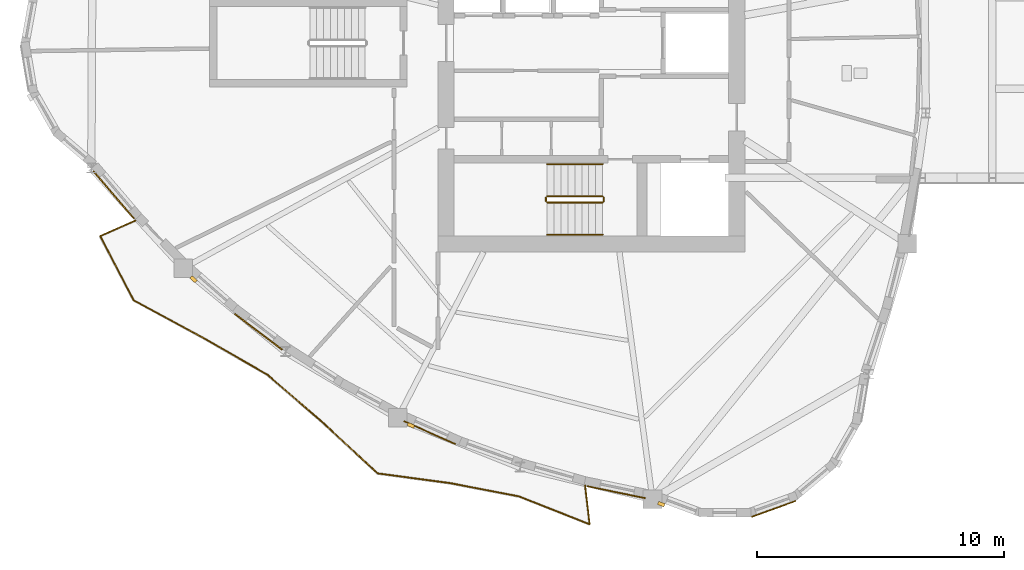
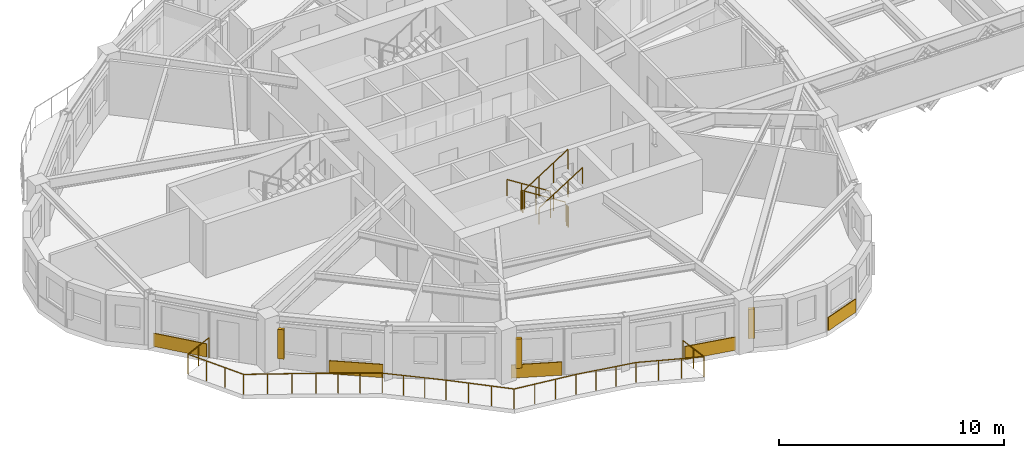
# One storey, part 10 of 13: 7 railings, 5 coverings, 3 shading devices.
"""IFC4 building model written with IfcOpenShell, lengths in metres."""

from ifc_helpers import new_model, si_unit, direction, frame, origin, origin_2d, place, context, subcontext, project, spatial, rectangle, circle, extrude, source, transform, mapped, material, layer, layer_set, type_object, element, save


model = new_model("IFC4")

# Units and contexts
model_context = context("Model", 3, precision=1e-05, world=origin(), true_north=direction((0.0, 1.0)))
body_context = subcontext(model_context, "Body", "Model", "MODEL_VIEW")
ifc_project = project(units=[si_unit("LENGTHUNIT", "METRE"), si_unit("AREAUNIT", "SQUARE_METRE"), si_unit("VOLUMEUNIT", "CUBIC_METRE"), si_unit("PLANEANGLEUNIT", "RADIAN"), si_unit("MASSUNIT", "GRAM", prefix="KILO")], contexts=[model_context])

# Site, building, storey
site_placement = place(None, origin())
site = spatial("IfcSite", under=ifc_project, at=site_placement, CompositionType="ELEMENT")
building_placement = place(site_placement, origin())
building = spatial("IfcBuilding", under=site, at=building_placement, Name="Qafzar Sky-Pleat Residences", CompositionType="ELEMENT")
storey_placement = place(building_placement, frame((0.0, 0.0, 155.39990234375)))
storey = spatial("IfcBuildingStorey", under=building, at=storey_placement, Name="L46", CompositionType="ELEMENT", Elevation=155.39990234375)

# Shading devices
ifc_material_1 = material(Name="Honed Riyadh limestone solar fin", Category="masonry")
ifc_layer_1 = layer(ifc_material_1, 0.139892578125)
ifc_layer_set_1 = layer_set([ifc_layer_1], Name="Honed Riyadh limestone solar fin")
shading_device_type = type_object("IfcShadingDeviceType", Name="SHD-FIN-STONE", PredefinedType="SHUTTER", material=ifc_layer_set_1)
shared_shape_1 = source(origin(), body_context, "Body", "SweptSolid", [
    extrude(rectangle(XDim=0.139892578125, YDim=0.280029296875, at=origin_2d()), origin(), (0.0, 0.0, 1.0), 1.60009765625),
])
for number, where, z_axis, x_axis, name in (
    (1, (14.259033203125, 16.4443359375, 0.60009765625), (0.0, 0.0, 1.0), (-0.66015795456, -0.751126803563, 0.0), "L46 Limestone Solar Fin 9"),
    (2, (23.052001953125, 10.533935546875, 0.60009765625), (0.0, 0.0, 1.0), (-0.407523392888, -0.913194767971, 0.0), "L46 Limestone Solar Fin 13"),
    (3, (33.17236328125, 7.3525390625, 0.60009765625), (0.0, 0.0, 1.0), (-0.349591808799, -0.936902111867, 0.0), "L46 Limestone Solar Fin 17"),
):
    element("IfcShadingDevice", number, at=place(storey_placement, frame(where, z_axis=z_axis, x_axis=x_axis)), inside=storey, type_object=shading_device_type, Name=name, PredefinedType="SHUTTER", context=body_context, shape_type="MappedRepresentation", body=[
        mapped(shared_shape_1, transform((0.0, 0.0, 0.0), x_axis=(1.0, 0.0, 0.0), y_axis=(0.0, 1.0, 0.0), z_axis=(0.0, 0.0, 1.0), scale=1.0)),
    ])

# Railing
ifc_material_2 = material(Name="Laminated glass and bronze steel balustrade", Category="steel")
railing_type_1 = type_object("IfcRailingType", Name="RAIL-BAL-1100", PredefinedType="BALUSTRADE", material=ifc_material_2)
shared_shape_2 = source(origin(), body_context, "Body", "SweptSolid", [
    extrude(circle(Radius=0.02392578125, at=origin_2d()), frame((0.0, 0.0, 1.076171875), z_axis=(-0.913242763887, -0.407415824689, 0.0), x_axis=(0.407415824689, -0.913242763887, 0.0)), (0.0, 0.0, 1.0), 1.577880859375),
    extrude(circle(Radius=0.02392578125, at=origin_2d()), frame((-1.44091796875, -0.642822265625, 1.076171875), z_axis=(0.463779078559, -0.88595088255, 0.0), x_axis=(0.88595088255, 0.463779078559, 0.0)), (0.0, 0.0, 1.0), 2.922119140625),
    extrude(circle(Radius=0.02392578125, at=origin_2d()), frame((-0.085693359375, -3.231689453125, 1.076171875), z_axis=(0.879301197534, -0.476266106305, 0.0), x_axis=(0.476266106305, 0.879301197534, 0.0)), (0.0, 0.0, 1.0), 3.23046875),
    extrude(circle(Radius=0.02392578125, at=origin_2d()), frame((2.7548828125, -4.770263671875, 1.076171875), z_axis=(0.867569052285, -0.49731673963, 0.0), x_axis=(0.49731673963, 0.867569052285, 0.0)), (0.0, 0.0, 1.0), 2.945556640625),
    extrude(circle(Radius=0.02392578125, at=origin_2d()), frame((5.310302734375, -6.235107421875, 1.076171875), z_axis=(0.75730029901, -0.653066809078, 0.0), x_axis=(0.653066809078, 0.75730029901, 0.0)), (0.0, 0.0, 1.0), 2.8857421875),
    extrude(circle(Radius=0.02392578125, at=origin_2d()), frame((7.49560546875, -8.11962890625, 1.076171875), z_axis=(0.734057417047, -0.67908740857, 0.0), x_axis=(0.67908740857, 0.734057417047, 0.0)), (0.0, 0.0, 1.0), 3.11328125),
    extrude(circle(Radius=0.02392578125, at=origin_2d()), frame((9.781005859375, -10.23388671875, 1.076171875), z_axis=(0.991073421264, -0.133317191933, 0.0), x_axis=(0.133317191933, 0.991073421264, 0.0)), (0.0, 0.0, 1.0), 2.966552734375),
    extrude(circle(Radius=0.02392578125, at=origin_2d()), frame((12.72119140625, -10.62939453125, 1.076171875), z_axis=(0.981967689152, -0.189048822958, 0.0), x_axis=(0.189048822958, 0.981967689152, 0.0)), (0.0, 0.0, 1.0), 2.83203125),
    extrude(circle(Radius=0.02392578125, at=origin_2d()), frame((15.502197265625, -11.164794921875, 1.076171875), z_axis=(0.929959452152, -0.367662096705, 0.0), x_axis=(0.367662096705, 0.929959452152, 0.0)), (0.0, 0.0, 1.0), 3.061767578125),
    extrude(circle(Radius=0.02392578125, at=origin_2d()), frame((18.349609375, -12.29052734375, 1.076171875), z_axis=(-0.116203811721, 0.993225389396, 0.0), x_axis=(-0.993225389396, -0.116203811721, 0.0)), (0.0, 0.0, 1.0), 1.577880859375),
    extrude(circle(Radius=0.02099609375, at=origin_2d()), origin(), (0.0, 0.0, 1.0), 1.052001953125),
    extrude(circle(Radius=0.02099609375, at=origin_2d()), frame((-0.720458984375, -0.3212890625, 0.0)), (0.0, 0.0, 1.0), 1.052001953125),
    extrude(circle(Radius=0.02099609375, at=origin_2d()), frame((-1.44091796875, -0.642822265625, 0.0)), (0.0, 0.0, 1.0), 1.052001953125),
    extrude(circle(Radius=0.02099609375, at=origin_2d()), frame((-0.9892578125, -1.505859375, 0.0)), (0.0, 0.0, 1.0), 1.052001953125),
    extrude(circle(Radius=0.02099609375, at=origin_2d()), frame((-0.537353515625, -2.36865234375, 0.0)), (0.0, 0.0, 1.0), 1.052001953125),
    extrude(circle(Radius=0.02099609375, at=origin_2d()), frame((-0.085693359375, -3.231689453125, 0.0)), (0.0, 0.0, 1.0), 1.052001953125),
    extrude(circle(Radius=0.02099609375, at=origin_2d()), frame((0.861083984375, -3.74462890625, 0.0)), (0.0, 0.0, 1.0), 1.052001953125),
    extrude(circle(Radius=0.02099609375, at=origin_2d()), frame((1.80810546875, -4.25732421875, 0.0)), (0.0, 0.0, 1.0), 1.052001953125),
    extrude(circle(Radius=0.02099609375, at=origin_2d()), frame((2.7548828125, -4.770263671875, 0.0)), (0.0, 0.0, 1.0), 1.052001953125),
    extrude(circle(Radius=0.02099609375, at=origin_2d()), frame((3.606689453125, -5.258544921875, 0.0)), (0.0, 0.0, 1.0), 1.052001953125),
    extrude(circle(Radius=0.02099609375, at=origin_2d()), frame((4.45849609375, -5.746826171875, 0.0)), (0.0, 0.0, 1.0), 1.052001953125),
    extrude(circle(Radius=0.02099609375, at=origin_2d()), frame((5.310302734375, -6.235107421875, 0.0)), (0.0, 0.0, 1.0), 1.052001953125),
    extrude(circle(Radius=0.02099609375, at=origin_2d()), frame((6.038818359375, -6.86328125, 0.0)), (0.0, 0.0, 1.0), 1.052001953125),
    extrude(circle(Radius=0.02099609375, at=origin_2d()), frame((6.76708984375, -7.491455078125, 0.0)), (0.0, 0.0, 1.0), 1.052001953125),
    extrude(circle(Radius=0.02099609375, at=origin_2d()), frame((7.49560546875, -8.11962890625, 0.0)), (0.0, 0.0, 1.0), 1.052001953125),
    extrude(circle(Radius=0.02099609375, at=origin_2d()), frame((8.25732421875, -8.824462890625, 0.0)), (0.0, 0.0, 1.0), 1.052001953125),
    extrude(circle(Radius=0.02099609375, at=origin_2d()), frame((9.019287109375, -9.529052734375, 0.0)), (0.0, 0.0, 1.0), 1.052001953125),
    extrude(circle(Radius=0.02099609375, at=origin_2d()), frame((9.781005859375, -10.23388671875, 0.0)), (0.0, 0.0, 1.0), 1.052001953125),
    extrude(circle(Radius=0.02099609375, at=origin_2d()), frame((10.760986328125, -10.36572265625, 0.0)), (0.0, 0.0, 1.0), 1.052001953125),
    extrude(circle(Radius=0.02099609375, at=origin_2d()), frame((11.7412109375, -10.49755859375, 0.0)), (0.0, 0.0, 1.0), 1.052001953125),
    extrude(circle(Radius=0.02099609375, at=origin_2d()), frame((12.72119140625, -10.62939453125, 0.0)), (0.0, 0.0, 1.0), 1.052001953125),
    extrude(circle(Radius=0.02099609375, at=origin_2d()), frame((13.648193359375, -10.807861328125, 0.0)), (0.0, 0.0, 1.0), 1.052001953125),
    extrude(circle(Radius=0.02099609375, at=origin_2d()), frame((14.5751953125, -10.986328125, 0.0)), (0.0, 0.0, 1.0), 1.052001953125),
    extrude(circle(Radius=0.02099609375, at=origin_2d()), frame((15.502197265625, -11.164794921875, 0.0)), (0.0, 0.0, 1.0), 1.052001953125),
    extrude(circle(Radius=0.02099609375, at=origin_2d()), frame((16.451416015625, -11.5400390625, 0.0)), (0.0, 0.0, 1.0), 1.052001953125),
    extrude(circle(Radius=0.02099609375, at=origin_2d()), frame((17.400390625, -11.915283203125, 0.0)), (0.0, 0.0, 1.0), 1.052001953125),
    extrude(circle(Radius=0.02099609375, at=origin_2d()), frame((18.349609375, -12.29052734375, 0.0)), (0.0, 0.0, 1.0), 1.052001953125),
    extrude(circle(Radius=0.02099609375, at=origin_2d()), frame((18.2578125, -11.5068359375, 0.0)), (0.0, 0.0, 1.0), 1.052001953125),
    extrude(circle(Radius=0.02099609375, at=origin_2d()), frame((18.166259765625, -10.723388671875, 0.0)), (0.0, 0.0, 1.0), 1.052001953125),
])
railing_1_placement = place(storey_placement, frame((11.92529296875, 18.8291015625, 0.0)))
element("IfcRailing", 4, at=railing_1_placement, inside=storey, type_object=railing_type_1, Name="L46 Pleated Balcony 2 Balustrade", PredefinedType="BALUSTRADE", context=body_context, shape_type="MappedRepresentation", body=[
    mapped(shared_shape_2, transform((0.0, 0.0, 0.0), x_axis=(1.0, 0.0, 0.0), y_axis=(0.0, 1.0, 0.0), z_axis=(0.0, 0.0, 1.0), scale=1.0)),
])

# Coverings
ifc_material_3 = material(Name="Honed Riyadh Tuwaiq limestone cladding", Category="masonry")
ifc_layer_2 = layer(ifc_material_3, 0.044921875)
ifc_layer_set_2 = layer_set([ifc_layer_2], Name="Honed Riyadh Tuwaiq limestone cladding")
covering_type = type_object("IfcCoveringType", Name="COV-CLAD-STONE", PredefinedType="CLADDING", material=ifc_layer_set_2)
shared_shape_3 = source(origin(), body_context, "Body", "SweptSolid", [
    extrude(rectangle(XDim=2.522705078125, YDim=0.044921875, at=origin_2d()), origin(), (0.0, 0.0, 1.0), 0.719970703125),
])
covering_1_placement = place(storey_placement, frame((11.032958984375, 19.855712890625, 0.02001953125), z_axis=(0.0, 0.0, 1.0), x_axis=(0.650335864114, -0.759646802038, 0.0)))
element("IfcCovering", 5, at=covering_1_placement, inside=storey, type_object=covering_type, Name="L46 Riyadh Limestone Spandrel Cladding 7", PredefinedType="CLADDING", context=body_context, shape_type="MappedRepresentation", body=[
    mapped(shared_shape_3, transform((0.0, 0.0, 0.0), x_axis=(1.0, 0.0, 0.0), y_axis=(0.0, 1.0, 0.0), z_axis=(0.0, 0.0, 1.0), scale=1.0)),
])
shared_shape_4 = source(origin(), body_context, "Body", "SweptSolid", [
    extrude(rectangle(XDim=2.403076171875, YDim=0.044921875, at=origin_2d()), origin(), (0.0, 0.0, 1.0), 0.719970703125),
])
covering_2_placement = place(storey_placement, frame((16.8857421875, 14.321044921875, 0.02001953125), z_axis=(0.0, 0.0, 1.0), x_axis=(0.798031812504, -0.602615321936, 0.0)))
element("IfcCovering", 6, at=covering_2_placement, inside=storey, type_object=covering_type, Name="L46 Riyadh Limestone Spandrel Cladding 10", PredefinedType="CLADDING", context=body_context, shape_type="MappedRepresentation", body=[
    mapped(shared_shape_4, transform((0.0, 0.0, 0.0), x_axis=(1.0, 0.0, 0.0), y_axis=(0.0, 1.0, 0.0), z_axis=(0.0, 0.0, 1.0), scale=1.0)),
])
shared_shape_5 = source(origin(), body_context, "Body", "SweptSolid", [
    extrude(rectangle(XDim=2.281494140625, YDim=0.044921875, at=origin_2d()), origin(), (0.0, 0.0, 1.0), 0.719970703125),
])
covering_3_placement = place(storey_placement, frame((23.80908203125, 10.2431640625, 0.02001953125), z_axis=(0.0, 0.0, 1.0), x_axis=(0.913200537505, -0.407510464038, 0.0)))
element("IfcCovering", 7, at=covering_3_placement, inside=storey, type_object=covering_type, Name="L46 Riyadh Limestone Spandrel Cladding 13", PredefinedType="CLADDING", context=body_context, shape_type="MappedRepresentation", body=[
    mapped(shared_shape_5, transform((0.0, 0.0, 0.0), x_axis=(1.0, 0.0, 0.0), y_axis=(0.0, 1.0, 0.0), z_axis=(0.0, 0.0, 1.0), scale=1.0)),
])
shared_shape_6 = source(origin(), body_context, "Body", "SweptSolid", [
    extrude(rectangle(XDim=2.401123046875, YDim=0.044921875, at=origin_2d()), origin(), (0.0, 0.0, 1.0), 0.719970703125),
])
covering_4_placement = place(storey_placement, frame((31.35498046875, 7.833984375, 0.02001953125), z_axis=(0.0, 0.0, 1.0), x_axis=(0.979318332698, -0.202325488363, 0.0)))
element("IfcCovering", 8, at=covering_4_placement, inside=storey, type_object=covering_type, Name="L46 Riyadh Limestone Spandrel Cladding 16", PredefinedType="CLADDING", context=body_context, shape_type="MappedRepresentation", body=[
    mapped(shared_shape_6, transform((0.0, 0.0, 0.0), x_axis=(1.0, 0.0, 0.0), y_axis=(0.0, 1.0, 0.0), z_axis=(0.0, 0.0, 1.0), scale=1.0)),
])
shared_shape_7 = source(origin(), body_context, "Body", "SweptSolid", [
    extrude(rectangle(XDim=1.89794921875, YDim=0.044921875, at=origin_2d()), origin(), (0.0, 0.0, 1.0), 0.719970703125),
])
covering_5_placement = place(storey_placement, frame((37.7177734375, 7.1591796875, 0.02001953125), z_axis=(0.0, 0.0, 1.0), x_axis=(0.940231559433, 0.340535775867, 0.0)))
element("IfcCovering", 9, at=covering_5_placement, inside=storey, type_object=covering_type, Name="L46 Riyadh Limestone Spandrel Cladding 19", PredefinedType="CLADDING", context=body_context, shape_type="MappedRepresentation", body=[
    mapped(shared_shape_7, transform((0.0, 0.0, 0.0), x_axis=(1.0, 0.0, 0.0), y_axis=(0.0, 1.0, 0.0), z_axis=(0.0, 0.0, 1.0), scale=1.0)),
])

# Railings
ifc_material_4 = material(Name="Painted Steel S355 stair guardrail", Category="steel")
railing_type_2 = type_object("IfcRailingType", Name="RAIL-STAIR-GUARD", PredefinedType="GUARDRAIL", material=ifc_material_4)
shared_shape_8 = source(origin(), body_context, "Body", "SweptSolid", [
    extrude(circle(Radius=0.02392578125, at=origin_2d()), frame((0.0, 0.0, 1.076171875), z_axis=(0.0, -1.0, 0.0), x_axis=(1.0, 0.0, 0.0)), (0.0, 0.0, 1.0), 0.14990234375),
    extrude(circle(Radius=0.02099609375, at=origin_2d()), origin(), (0.0, 0.0, 1.0), 1.052001953125),
    extrude(circle(Radius=0.02099609375, at=origin_2d()), frame((0.0, -0.14990234375, 0.0)), (0.0, 0.0, 1.0), 1.052001953125),
])
for number, where, name in (
    (10, (28.510009765625, 19.75, 1.60009765625), "L46 ST1 stair guard 2"),
    (11, (30.85009765625, 19.75, 0.0), "L46 ST1 stair guard 4"),
):
    element("IfcRailing", number, at=place(storey_placement, frame(where)), inside=storey, type_object=railing_type_2, Name=name, PredefinedType="GUARDRAIL", context=body_context, shape_type="MappedRepresentation", body=[
        mapped(shared_shape_8, transform((0.0, 0.0, 0.0), x_axis=(1.0, 0.0, 0.0), y_axis=(0.0, 1.0, 0.0), z_axis=(0.0, 0.0, 1.0), scale=1.0)),
    ])
shared_shape_9 = source(origin(), body_context, "Body", "SweptSolid", [
    extrude(circle(Radius=0.02392578125, at=origin_2d()), frame((0.0, 0.0, 1.076171875), z_axis=(-0.8442293374, 0.0, 0.53598211339), x_axis=(0.0, -1.0, 0.0)), (0.0, 0.0, 1.0), 2.6533203125),
    extrude(circle(Radius=0.02099609375, at=origin_2d()), origin(), (0.0, 0.0, 1.0), 1.052001953125),
    extrude(circle(Radius=0.02099609375, at=origin_2d()), frame((-0.74658203125, 0.0, 0.47412109375)), (0.0, 0.0, 1.0), 1.052001953125),
    extrude(circle(Radius=0.02099609375, at=origin_2d()), frame((-1.493408203125, 0.0, 0.947998046875)), (0.0, 0.0, 1.0), 1.052001953125),
    extrude(circle(Radius=0.02099609375, at=origin_2d()), frame((-2.239990234375, 0.0, 1.422119140625)), (0.0, 0.0, 1.0), 1.052001953125),
])
railing_2_placement = place(storey_placement, frame((30.800048828125, 19.800048828125, 0.177978515625)))
element("IfcRailing", 12, at=railing_2_placement, inside=storey, type_object=railing_type_2, Name="L46 ST1 stair guard 1", PredefinedType="GUARDRAIL", context=body_context, shape_type="MappedRepresentation", body=[
    mapped(shared_shape_9, transform((0.0, 0.0, 0.0), x_axis=(1.0, 0.0, 0.0), y_axis=(0.0, 1.0, 0.0), z_axis=(0.0, 0.0, 1.0), scale=1.0)),
])
ifc_material_5 = material(Name="Brushed stainless steel handrail", Category="steel")
railing_type_3 = type_object("IfcRailingType", Name="RAIL-STAIR-HAND", PredefinedType="HANDRAIL", material=ifc_material_5)
shared_shape_10 = source(origin(), body_context, "Body", "SweptSolid", [
    extrude(circle(Radius=0.02392578125, at=origin_2d()), frame((0.0, 0.0, 0.8759765625), z_axis=(-0.8442293374, 0.0, 0.53598211339), x_axis=(0.0, -1.0, 0.0)), (0.0, 0.0, 1.0), 2.6533203125),
    extrude(circle(Radius=0.02099609375, at=origin_2d()), origin(), (0.0, 0.0, 1.0), 0.851806640625),
    extrude(circle(Radius=0.02099609375, at=origin_2d()), frame((-0.74658203125, 0.0, 0.47412109375)), (0.0, 0.0, 1.0), 0.851806640625),
    extrude(circle(Radius=0.02099609375, at=origin_2d()), frame((-1.493408203125, 0.0, 0.947998046875)), (0.0, 0.0, 1.0), 0.851806640625),
    extrude(circle(Radius=0.02099609375, at=origin_2d()), frame((-2.239990234375, 0.0, 1.422119140625)), (0.0, 0.0, 1.0), 0.851806640625),
])
railing_3_placement = place(storey_placement, frame((30.800048828125, 21.10009765625, 0.177978515625)))
element("IfcRailing", 13, at=railing_3_placement, inside=storey, type_object=railing_type_3, Name="L46 ST1 stair handrail 1", PredefinedType="HANDRAIL", context=body_context, shape_type="MappedRepresentation", body=[
    mapped(shared_shape_10, transform((0.0, 0.0, 0.0), x_axis=(1.0, 0.0, 0.0), y_axis=(0.0, 1.0, 0.0), z_axis=(0.0, 0.0, 1.0), scale=1.0)),
])
shared_shape_11 = source(origin(), body_context, "Body", "SweptSolid", [
    extrude(circle(Radius=0.02392578125, at=origin_2d()), frame((0.0, 0.0, 1.076171875), z_axis=(0.84418770128, 0.0, 0.536047689118), x_axis=(0.0, 1.0, 0.0)), (0.0, 0.0, 1.0), 2.6533203125),
    extrude(circle(Radius=0.02099609375, at=origin_2d()), origin(), (0.0, 0.0, 1.0), 1.052001953125),
    extrude(circle(Radius=0.02099609375, at=origin_2d()), frame((0.74658203125, 0.0, 0.47412109375)), (0.0, 0.0, 1.0), 1.052001953125),
    extrude(circle(Radius=0.02099609375, at=origin_2d()), frame((1.493408203125, 0.0, 0.9482421875)), (0.0, 0.0, 1.0), 1.052001953125),
    extrude(circle(Radius=0.02099609375, at=origin_2d()), frame((2.239990234375, 0.0, 1.42236328125)), (0.0, 0.0, 1.0), 1.052001953125),
])
railing_4_placement = place(storey_placement, frame((28.56005859375, 19.550048828125, 1.77783203125)))
element("IfcRailing", 14, at=railing_4_placement, inside=storey, type_object=railing_type_2, Name="L46 ST1 stair guard 3", PredefinedType="GUARDRAIL", context=body_context, shape_type="MappedRepresentation", body=[
    mapped(shared_shape_11, transform((0.0, 0.0, 0.0), x_axis=(1.0, 0.0, 0.0), y_axis=(0.0, 1.0, 0.0), z_axis=(0.0, 0.0, 1.0), scale=1.0)),
])
shared_shape_12 = source(origin(), body_context, "Body", "SweptSolid", [
    extrude(circle(Radius=0.02392578125, at=origin_2d()), frame((0.0, 0.0, 0.8759765625), z_axis=(0.84418770128, 0.0, 0.536047689118), x_axis=(0.0, 1.0, 0.0)), (0.0, 0.0, 1.0), 2.6533203125),
    extrude(circle(Radius=0.02099609375, at=origin_2d()), origin(), (0.0, 0.0, 1.0), 0.851806640625),
    extrude(circle(Radius=0.02099609375, at=origin_2d()), frame((0.74658203125, 0.0, 0.47412109375)), (0.0, 0.0, 1.0), 0.851806640625),
    extrude(circle(Radius=0.02099609375, at=origin_2d()), frame((1.493408203125, 0.0, 0.9482421875)), (0.0, 0.0, 1.0), 0.851806640625),
    extrude(circle(Radius=0.02099609375, at=origin_2d()), frame((2.239990234375, 0.0, 1.42236328125)), (0.0, 0.0, 1.0), 0.851806640625),
])
railing_5_placement = place(storey_placement, frame((28.56005859375, 18.25, 1.77783203125)))
element("IfcRailing", 15, at=railing_5_placement, inside=storey, type_object=railing_type_3, Name="L46 ST1 stair handrail 2", PredefinedType="HANDRAIL", context=body_context, shape_type="MappedRepresentation", body=[
    mapped(shared_shape_12, transform((0.0, 0.0, 0.0), x_axis=(1.0, 0.0, 0.0), y_axis=(0.0, 1.0, 0.0), z_axis=(0.0, 0.0, 1.0), scale=1.0)),
])

save(model, "model.ifc")
